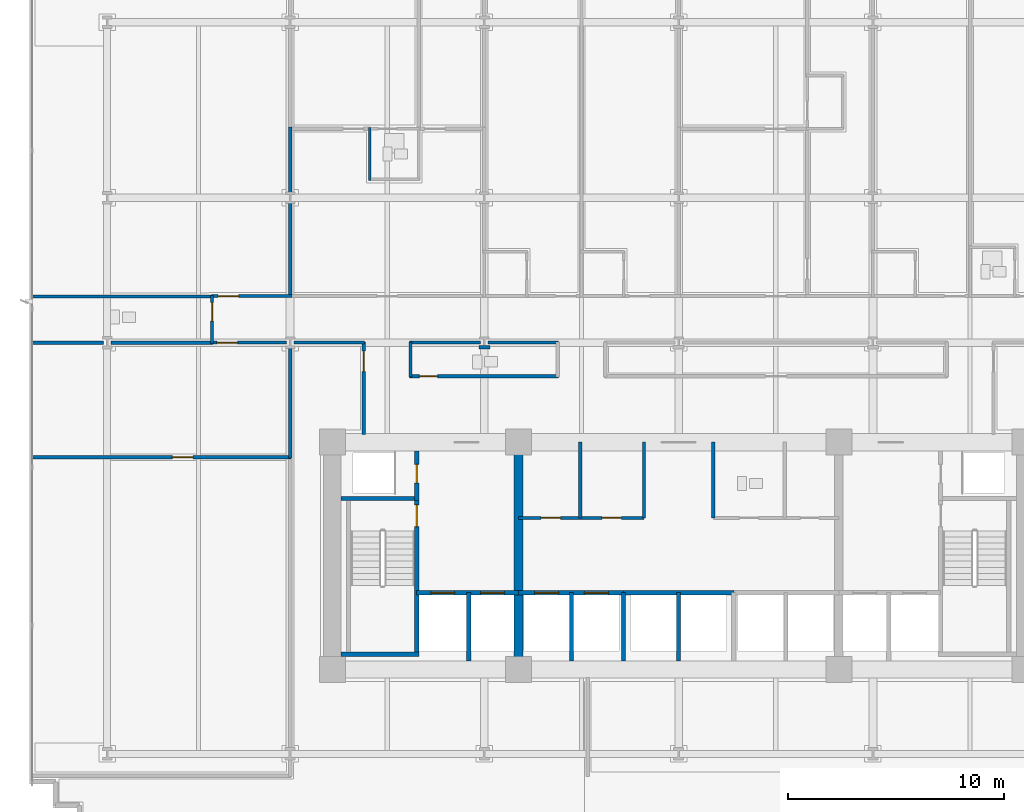
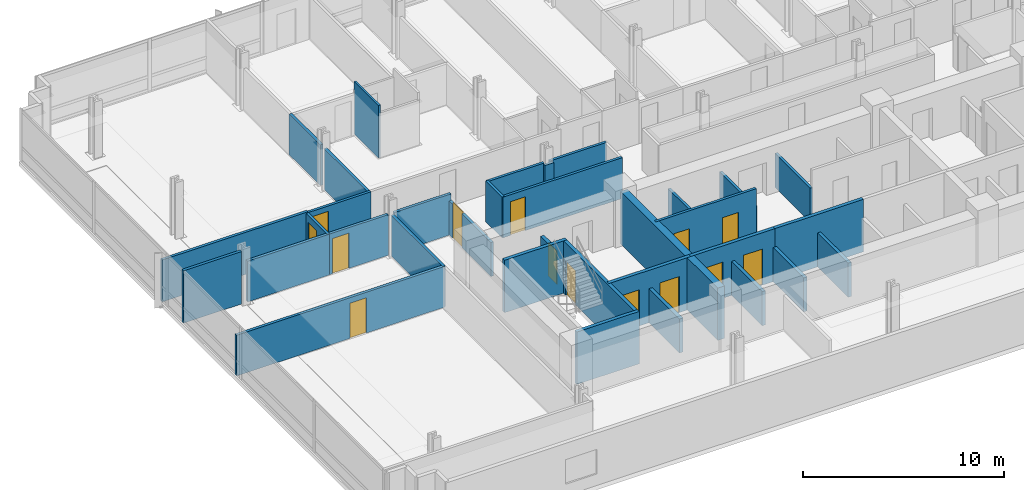
# One storey, part 8 of 16: 34 walls, 14 doors, 14 openings.
"""IFC4 building model written with IfcOpenShell, lengths in metres."""

from ifc_helpers import new_model, si_unit, direction, frame, frame_2d, origin, place, context, subcontext, project, spatial, rectangle, extrude, material, layer, layer_set, type_object, element, fill, save


model = new_model("IFC4")

# Units and contexts
model_context = context("Model", 3, precision=1e-05, world=origin(), true_north=direction((0.0, 1.0)))
body_context = subcontext(model_context, "Body", "Model", "MODEL_VIEW")
ifc_project = project(units=[si_unit("LENGTHUNIT", "METRE"), si_unit("AREAUNIT", "SQUARE_METRE"), si_unit("VOLUMEUNIT", "CUBIC_METRE"), si_unit("PLANEANGLEUNIT", "RADIAN"), si_unit("MASSUNIT", "GRAM", prefix="KILO")], contexts=[model_context])

# Site, building, storey
site_placement = place(None, origin())
site = spatial("IfcSite", under=ifc_project, at=site_placement, CompositionType="ELEMENT")
building_placement = place(site_placement, origin())
building = spatial("IfcBuilding", under=site, at=building_placement, Name="Solmavex Isthmus Hotel", CompositionType="ELEMENT")
storey_placement = place(building_placement, frame((0.0, 0.0, 67.800048828125)))
storey = spatial("IfcBuildingStorey", under=building, at=storey_placement, Name="L18", CompositionType="ELEMENT", Elevation=67.800048828125)

# Walls
ifc_material_1 = material(Name="Gypsum plasterboard lining", Category="gypsum")
ifc_layer_1 = layer(ifc_material_1, 0.159912109375)
ifc_layer_set_1 = layer_set([ifc_layer_1], Name="Gypsum plasterboard lining")
wall_type_1 = type_object("IfcWallType", Name="IW-COMP-160", PredefinedType="PARTITIONING", material=ifc_layer_set_1)
wall_1_placement = place(storey_placement, frame((-17.951904296875, 8.613037109375, 0.0), z_axis=(0.0, 0.0, 1.0), x_axis=(0.0, -1.0, 0.0)))
element("IfcWall", 1, at=wall_1_placement, inside=storey, type_object=wall_type_1, Name="Interior Partition Wall W-L18-P036", PredefinedType="PARTITIONING", context=body_context, shape_type="SweptSolid", body=[
    extrude(rectangle(XDim=4.403076171875, YDim=0.159912109375, at=frame_2d((2.20166015625, 0.0))), origin(), (0.0, 0.0, 1.0), 2.4794921875),
])
wall_2_placement = place(storey_placement, frame((-17.951904296875, 12.070068359375, 0.0), z_axis=(0.0, 0.0, 1.0), x_axis=(0.0, -1.0, 0.0)))
element("IfcWall", 2, at=wall_2_placement, inside=storey, type_object=wall_type_1, Name="Interior Partition Wall W-L18-P037", PredefinedType="PARTITIONING", context=body_context, shape_type="SweptSolid", body=[
    extrude(rectangle(XDim=3.107177734375, YDim=0.159912109375, at=frame_2d((1.5537109375, 0.0))), origin(), (0.0, 0.0, 1.0), 2.4794921875),
])
wall_3_placement = place(storey_placement, frame((-21.511962890625, 4.22998046875, 0.0), z_axis=(0.0, 0.0, 1.0), x_axis=(-1.0, 0.0, 0.0)))
element("IfcWall", 3, at=wall_3_placement, inside=storey, type_object=wall_type_1, Name="Interior Partition Wall W-L18-P040", PredefinedType="PARTITIONING", context=body_context, shape_type="SweptSolid", body=[
    extrude(rectangle(XDim=8.407958984375, YDim=0.159912109375, at=frame_2d((4.2041015625, 0.0))), origin(), (0.0, 0.0, 1.0), 2.55322265625),
])
wall_4_placement = place(storey_placement, frame((-26.574951171875, 2.10009765625, 0.0), z_axis=(0.0, 0.0, 1.0), x_axis=(-1.0, 0.0, 0.0)))
element("IfcWall", 4, at=wall_4_placement, inside=storey, type_object=wall_type_1, Name="Interior Partition Wall W-L18-P084", PredefinedType="PARTITIONING", context=body_context, shape_type="SweptSolid", body=[
    extrude(rectangle(XDim=3.344970703125, YDim=0.159912109375, at=frame_2d((1.67236328125, 0.0))), origin(), (0.0, 0.0, 1.0), 3.18994140625),
])
wall_5_placement = place(storey_placement, frame((-21.511962890625, 2.10009765625, 0.0), z_axis=(0.0, 0.0, 1.0), x_axis=(-1.0, 0.0, 0.0)))
element("IfcWall", 5, at=wall_5_placement, inside=storey, type_object=wall_type_1, Name="Interior Partition Wall W-L18-P085", PredefinedType="PARTITIONING", context=body_context, shape_type="SweptSolid", body=[
    extrude(rectangle(XDim=4.713134765625, YDim=0.159912109375, at=frame_2d((2.3564453125, 0.0))), origin(), (0.0, 0.0, 1.0), 2.4794921875),
])
wall_6_placement = place(storey_placement, frame((-17.951904296875, 1.925048828125, 0.0), z_axis=(0.0, 0.0, 1.0), x_axis=(0.0, -1.0, 0.0)))
element("IfcWall", 6, at=wall_6_placement, inside=storey, type_object=wall_type_1, Name="Interior Partition Wall W-L18-P088", PredefinedType="PARTITIONING", context=body_context, shape_type="SweptSolid", body=[
    extrude(rectangle(XDim=5.1650390625, YDim=0.159912109375, at=frame_2d((2.58251953125, 0.0))), origin(), (0.0, 0.0, 1.0), 2.4794921875),
])

# Wall, opening, door
wall_7_placement = place(storey_placement, frame((-17.912109375, -3.199951171875, 0.0), z_axis=(0.0, 0.0, 1.0), x_axis=(-1.0, 0.0, 0.0)))
wall_7 = element("IfcWall", 7, at=wall_7_placement, inside=storey, type_object=wall_type_1, Name="Interior Partition Wall W-L18-P089", PredefinedType="PARTITIONING", context=body_context, shape_type="SweptSolid", body=[
    extrude(rectangle(XDim=12.0078125, YDim=0.159912109375, at=frame_2d((6.00390625, 0.0))), origin(), (0.0, 0.0, 1.0), 2.4794921875),
])
opening_1_placement = place(wall_7_placement, frame((4.527099609375, 0.0, 0.0)))
opening_1 = element("IfcOpeningElement", 8, at=opening_1_placement, cuts=wall_7, Name="Opening ID-C095", PredefinedType="OPENING", context=body_context, shape_type="SweptSolid", body=[
    extrude(rectangle(XDim=0.949951171875, YDim=2.14990234375, at=frame_2d((0.47509765625, 1.074951171875))), frame((0.0, 0.08984375, 0.0), z_axis=(0.0, -1.0, 0.0), x_axis=(1.0, 0.0, 0.0)), (0.0, 0.0, 1.0), 0.179931640625),
])
ifc_material_2 = material(Name="Hardwood timber", Category="wood")
door_type_1 = type_object("IfcDoorType", Name="IDR-FD60-0950", OperationType="NOTDEFINED", PredefinedType="DOOR", material=ifc_material_2)
door_1_placement = place(opening_1_placement, origin())
door_1 = element("IfcDoor", 9, at=door_1_placement, inside=storey, type_object=door_type_1, Name="Corporate Briefing Office Door L18-27", OperationType="SINGLE_SWING_LEFT", OverallHeight=2.14990234375, OverallWidth=0.949951171875, PredefinedType="DOOR", context=body_context, shape_type="SweptSolid", body=[
    extrude(rectangle(XDim=0.949951171875, YDim=2.14990234375, at=frame_2d((0.47509765625, 1.074951171875))), frame((0.0, 0.02490234375, 0.0), z_axis=(0.0, -1.0, 0.0), x_axis=(1.0, 0.0, 0.0)), (0.0, 0.0, 1.0), 0.050048828125),
])
fill(opening_1, door_1)

# Wall, openings, doors
ifc_layer_2 = layer(ifc_material_1, 0.14990234375)
ifc_layer_set_2 = layer_set([ifc_layer_2], Name="Gypsum plasterboard lining")
wall_type_2 = type_object("IfcWallType", Name="IW-CORR-150", PredefinedType="PARTITIONING", material=ifc_layer_set_2)
wall_8_placement = place(storey_placement, frame((-7.39990234375, -6.0, 0.0), z_axis=(0.0, 0.0, 1.0), x_axis=(1.0, 0.0, 0.0)))
wall_8 = element("IfcWall", 10, at=wall_8_placement, inside=storey, type_object=wall_type_2, Name="Interior Partition Wall W-L18-BOH-WS", PredefinedType="PARTITIONING", context=body_context, shape_type="SweptSolid", body=[
    extrude(rectangle(XDim=5.7998046875, YDim=0.14990234375, at=frame_2d((2.89990234375, 0.0))), origin(), (0.0, 0.0, 1.0), 3.18994140625),
])
opening_2_placement = place(wall_8_placement, frame((1.050048828125, 0.0, 0.0)))
opening_2 = element("IfcOpeningElement", 11, at=opening_2_placement, cuts=wall_8, Name="Opening ID-C090", PredefinedType="OPENING", context=body_context, shape_type="SweptSolid", body=[
    extrude(rectangle(XDim=0.89990234375, YDim=2.10009765625, at=frame_2d((0.449951171875, 1.050048828125))), frame((0.0, 0.0849609375, 0.0), z_axis=(0.0, -1.0, 0.0), x_axis=(1.0, 0.0, 0.0)), (0.0, 0.0, 1.0), 0.169921875),
])
opening_3_placement = place(wall_8_placement, frame((3.85009765625, 0.0, 0.0)))
opening_3 = element("IfcOpeningElement", 12, at=opening_3_placement, cuts=wall_8, Name="Opening ID-C090", PredefinedType="OPENING", context=body_context, shape_type="SweptSolid", body=[
    extrude(rectangle(XDim=0.89990234375, YDim=2.10009765625, at=frame_2d((0.449951171875, 1.050048828125))), frame((0.0, 0.0849609375, 0.0), z_axis=(0.0, -1.0, 0.0), x_axis=(1.0, 0.0, 0.0)), (0.0, 0.0, 1.0), 0.169921875),
])
door_type_2 = type_object("IfcDoorType", Name="IDR-FD60-0900", OperationType="NOTDEFINED", PredefinedType="DOOR", material=ifc_material_2)
door_2_placement = place(opening_2_placement, frame((0.89990234375, 0.0, 0.0), z_axis=(0.0, 0.0, 1.0), x_axis=(-1.0, 0.0, 0.0)))
door_2 = element("IfcDoor", 13, at=door_2_placement, inside=storey, type_object=door_type_2, Name="Linen Room Door L18", OperationType="SINGLE_SWING_LEFT", OverallHeight=2.10009765625, OverallWidth=0.89990234375, PredefinedType="DOOR", context=body_context, shape_type="SweptSolid", body=[
    extrude(rectangle(XDim=0.89990234375, YDim=2.10009765625, at=frame_2d((0.449951171875, 1.050048828125))), frame((0.0, 0.02490234375, 0.0), z_axis=(0.0, -1.0, 0.0), x_axis=(1.0, 0.0, 0.0)), (0.0, 0.0, 1.0), 0.050048828125),
])
fill(opening_2, door_2)
door_3_placement = place(opening_3_placement, frame((0.89990234375, 0.0, 0.0), z_axis=(0.0, 0.0, 1.0), x_axis=(-1.0, 0.0, 0.0)))
door_3 = element("IfcDoor", 14, at=door_3_placement, inside=storey, type_object=door_type_2, Name="Ice Pantry Door L18", OperationType="SINGLE_SWING_RIGHT", OverallHeight=2.10009765625, OverallWidth=0.89990234375, PredefinedType="DOOR", context=body_context, shape_type="SweptSolid", body=[
    extrude(rectangle(XDim=0.89990234375, YDim=2.10009765625, at=frame_2d((0.449951171875, 1.050048828125))), frame((0.0, 0.02490234375, 0.0), z_axis=(0.0, -1.0, 0.0), x_axis=(1.0, 0.0, 0.0)), (0.0, 0.0, 1.0), 0.050048828125),
])
fill(opening_3, door_3)

# Walls
for number, where, z_axis, x_axis, name in (
    (15, (-1.60009765625, -6.0, 0.0), (0.0, 0.0, 1.0), (0.0, 1.0, 0.0), "Interior Partition Wall W-L18-BOH-WE"),
    (16, (1.60009765625, -6.0, 0.0), (0.0, 0.0, 1.0), (0.0, 1.0, 0.0), "Interior Partition Wall W-L18-BOH-EW"),
):
    element("IfcWall", number, at=place(storey_placement, frame(where, z_axis=z_axis, x_axis=x_axis)), inside=storey, type_object=wall_type_2, Name=name, PredefinedType="PARTITIONING", context=body_context, shape_type="SweptSolid", body=[
        extrude(rectangle(XDim=3.5, YDim=0.14990234375, at=frame_2d((1.75, 0.0))), origin(), (0.0, 0.0, 1.0), 2.074951171875),
    ])

# Wall, opening, door
wall_9_placement = place(storey_placement, frame((-21.592041015625, 4.25, 0.0), z_axis=(0.0, 0.0, 1.0), x_axis=(1.0, 0.0, 0.0)))
wall_9 = element("IfcWall", 17, at=wall_9_placement, inside=storey, type_object=wall_type_2, Name="Interior Partition Wall W-L18-P001", PredefinedType="PARTITIONING", context=body_context, shape_type="SweptSolid", body=[
    extrude(rectangle(XDim=3.721923828125, YDim=0.14990234375, at=frame_2d((1.86083984375, 0.0))), origin(), (0.0, 0.0, 1.0), 2.4794921875),
])
opening_4_placement = place(wall_9_placement, frame((0.315185546875, 0.0, 0.0)))
opening_4 = element("IfcOpeningElement", 18, at=opening_4_placement, cuts=wall_9, Name="Opening ID-C095", PredefinedType="OPENING", context=body_context, shape_type="SweptSolid", body=[
    extrude(rectangle(XDim=0.949951171875, YDim=2.14990234375, at=frame_2d((0.47509765625, 1.074951171875))), frame((0.0, 0.0849609375, 0.0), z_axis=(0.0, -1.0, 0.0), x_axis=(1.0, 0.0, 0.0)), (0.0, 0.0, 1.0), 0.169921875),
])
door_4_placement = place(opening_4_placement, origin())
door_4 = element("IfcDoor", 19, at=door_4_placement, inside=storey, type_object=door_type_1, Name="Corporate Briefing Office Door L18-01", OperationType="SINGLE_SWING_LEFT", OverallHeight=2.14990234375, OverallWidth=0.949951171875, PredefinedType="DOOR", context=body_context, shape_type="SweptSolid", body=[
    extrude(rectangle(XDim=0.949951171875, YDim=2.14990234375, at=frame_2d((0.47509765625, 1.074951171875))), frame((0.0, 0.02490234375, 0.0), z_axis=(0.0, -1.0, 0.0), x_axis=(1.0, 0.0, 0.0)), (0.0, 0.0, 1.0), 0.050048828125),
])
fill(opening_4, door_4)

# Walls
wall_10_placement = place(storey_placement, frame((-8.720947265625, 1.885009765625, 0.0), z_axis=(0.0, 0.0, 1.0), x_axis=(-1.0, 0.0, 0.0)))
element("IfcWall", 20, at=wall_10_placement, inside=storey, type_object=wall_type_2, Name="Interior Partition Wall W-L18-P014", PredefinedType="PARTITIONING", context=body_context, shape_type="SweptSolid", body=[
    extrude(rectangle(XDim=0.510009765625, YDim=0.14990234375, at=frame_2d((0.2548828125, 0.0))), origin(), (0.0, 0.0, 1.0), 2.4794921875),
])
wall_11_placement = place(storey_placement, frame((-9.15087890625, 2.10009765625, 0.0), z_axis=(0.0, 0.0, 1.0), x_axis=(-1.0, 0.0, 0.0)))
element("IfcWall", 21, at=wall_11_placement, inside=storey, type_object=wall_type_2, Name="Interior Partition Wall W-L18-P015", PredefinedType="PARTITIONING", context=body_context, shape_type="SweptSolid", body=[
    extrude(rectangle(XDim=3.273193359375, YDim=0.14990234375, at=frame_2d((1.63671875, 0.0))), origin(), (0.0, 0.0, 1.0), 2.4794921875),
])
wall_12_placement = place(storey_placement, frame((-12.384033203125, 2.139892578125, 0.0), z_axis=(0.0, 0.0, 1.0), x_axis=(0.0, -1.0, 0.0)))
element("IfcWall", 22, at=wall_12_placement, inside=storey, type_object=wall_type_2, Name="Interior Partition Wall W-L18-P016", PredefinedType="PARTITIONING", context=body_context, shape_type="SweptSolid", body=[
    extrude(rectangle(XDim=1.6298828125, YDim=0.14990234375, at=frame_2d((0.81494140625, 0.0))), origin(), (0.0, 0.0, 1.0), 2.4794921875),
])

# Wall, opening, door
wall_13_placement = place(storey_placement, frame((-12.424072265625, 0.550048828125, 0.0), z_axis=(0.0, 0.0, 1.0), x_axis=(1.0, 0.0, 0.0)))
wall_13 = element("IfcWall", 23, at=wall_13_placement, inside=storey, type_object=wall_type_2, Name="Interior Partition Wall W-L18-P017", PredefinedType="PARTITIONING", context=body_context, shape_type="SweptSolid", body=[
    extrude(rectangle(XDim=6.8759765625, YDim=0.14990234375, at=frame_2d((3.43798828125, 0.0))), origin(), (0.0, 0.0, 1.0), 2.4794921875),
])
opening_5_placement = place(wall_13_placement, frame((0.444091796875, 0.0, 0.0)))
opening_5 = element("IfcOpeningElement", 24, at=opening_5_placement, cuts=wall_13, Name="Opening ID-R085", PredefinedType="OPENING", context=body_context, shape_type="SweptSolid", body=[
    extrude(rectangle(XDim=0.85009765625, YDim=2.050048828125, at=frame_2d((0.425048828125, 1.02490234375))), frame((0.0, 0.0849609375, 0.0), z_axis=(0.0, -1.0, 0.0), x_axis=(1.0, 0.0, 0.0)), (0.0, 0.0, 1.0), 0.169921875),
])
ifc_material_3 = material(Name="Steel ASTM A500 Grade C", Category="steel")
door_type_3 = type_object("IfcDoorType", Name="IDR-FD60-0850", OperationType="NOTDEFINED", PredefinedType="DOOR", material=ifc_material_3)
door_5_placement = place(opening_5_placement, frame((0.85009765625, 0.0, 0.0), z_axis=(0.0, 0.0, 1.0), x_axis=(-1.0, 0.0, 0.0)))
door_5 = element("IfcDoor", 25, at=door_5_placement, inside=storey, type_object=door_type_3, Name="Accessible Public Restroom WC Door L18-19", OperationType="SINGLE_SWING_LEFT", OverallHeight=2.050048828125, OverallWidth=0.85009765625, PredefinedType="DOOR", context=body_context, shape_type="SweptSolid", body=[
    extrude(rectangle(XDim=0.85009765625, YDim=2.050048828125, at=frame_2d((0.425048828125, 1.02490234375))), frame((0.0, 0.02490234375, 0.0), z_axis=(0.0, -1.0, 0.0), x_axis=(1.0, 0.0, 0.0)), (0.0, 0.0, 1.0), 0.050048828125),
])
fill(opening_5, door_5)

# Wall
wall_14_placement = place(storey_placement, frame((-5.548095703125, 2.10009765625, 0.0), z_axis=(0.0, 0.0, 1.0), x_axis=(-1.0, 0.0, 0.0)))
element("IfcWall", 26, at=wall_14_placement, inside=storey, type_object=wall_type_2, Name="Interior Partition Wall W-L18-P019", PredefinedType="PARTITIONING", context=body_context, shape_type="SweptSolid", body=[
    extrude(rectangle(XDim=3.2529296875, YDim=0.14990234375, at=frame_2d((1.62646484375, 0.0))), origin(), (0.0, 0.0, 1.0), 2.4794921875),
])

# Wall, opening, door
wall_15_placement = place(storey_placement, frame((-21.552001953125, 2.06005859375, 0.0), z_axis=(0.0, 0.0, 1.0), x_axis=(0.0, 1.0, 0.0)))
wall_15 = element("IfcWall", 27, at=wall_15_placement, inside=storey, type_object=wall_type_2, Name="Interior Partition Wall W-L18-P020", PredefinedType="PARTITIONING", context=body_context, shape_type="SweptSolid", body=[
    extrude(rectangle(XDim=2.2099609375, YDim=0.14990234375, at=frame_2d((1.10498046875, 0.0))), origin(), (0.0, 0.0, 1.0), 2.4794921875),
])
opening_6_placement = place(wall_15_placement, frame((1.037841796875, 0.0, 0.0)))
opening_6 = element("IfcOpeningElement", 28, at=opening_6_placement, cuts=wall_15, Name="Opening ID-R085", PredefinedType="OPENING", context=body_context, shape_type="SweptSolid", body=[
    extrude(rectangle(XDim=0.85009765625, YDim=2.050048828125, at=frame_2d((0.425048828125, 1.02490234375))), frame((0.0, 0.0849609375, 0.0), z_axis=(0.0, -1.0, 0.0), x_axis=(1.0, 0.0, 0.0)), (0.0, 0.0, 1.0), 0.169921875),
])
door_6_placement = place(opening_6_placement, origin())
door_6 = element("IfcDoor", 29, at=door_6_placement, inside=storey, type_object=door_type_3, Name="Public Restroom WC Door L18-20", OperationType="SINGLE_SWING_RIGHT", OverallHeight=2.050048828125, OverallWidth=0.85009765625, PredefinedType="DOOR", context=body_context, shape_type="SweptSolid", body=[
    extrude(rectangle(XDim=0.85009765625, YDim=2.050048828125, at=frame_2d((0.425048828125, 1.02490234375))), frame((0.0, 0.02490234375, 0.0), z_axis=(0.0, -1.0, 0.0), x_axis=(1.0, 0.0, 0.0)), (0.0, 0.0, 1.0), 0.050048828125),
])
fill(opening_6, door_6)

wall_16_placement = place(storey_placement, frame((-18.126953125, 2.10009765625, 0.0), z_axis=(0.0, 0.0, 1.0), x_axis=(-1.0, 0.0, 0.0)))
wall_16 = element("IfcWall", 30, at=wall_16_placement, inside=storey, type_object=wall_type_2, Name="Interior Partition Wall W-L18-P030", PredefinedType="PARTITIONING", context=body_context, shape_type="SweptSolid", body=[
    extrude(rectangle(XDim=3.465087890625, YDim=0.14990234375, at=frame_2d((1.732421875, 0.0))), origin(), (0.0, 0.0, 1.0), 2.4794921875),
])
opening_7_placement = place(wall_16_placement, frame((2.252685546875, 0.0, 0.0)))
opening_7 = element("IfcOpeningElement", 31, at=opening_7_placement, cuts=wall_16, Name="Opening ID-C095", PredefinedType="OPENING", context=body_context, shape_type="SweptSolid", body=[
    extrude(rectangle(XDim=0.949951171875, YDim=2.14990234375, at=frame_2d((0.47509765625, 1.074951171875))), frame((0.0, 0.0849609375, 0.0), z_axis=(0.0, -1.0, 0.0), x_axis=(1.0, 0.0, 0.0)), (0.0, 0.0, 1.0), 0.169921875),
])
door_7_placement = place(opening_7_placement, origin())
door_7 = element("IfcDoor", 32, at=door_7_placement, inside=storey, type_object=door_type_1, Name="Yoga Fitness Studio Door L18-23", OperationType="SINGLE_SWING_LEFT", OverallHeight=2.14990234375, OverallWidth=0.949951171875, PredefinedType="DOOR", context=body_context, shape_type="SweptSolid", body=[
    extrude(rectangle(XDim=0.949951171875, YDim=2.14990234375, at=frame_2d((0.47509765625, 1.074951171875))), frame((0.0, 0.02490234375, 0.0), z_axis=(0.0, -1.0, 0.0), x_axis=(1.0, 0.0, 0.0)), (0.0, 0.0, 1.0), 0.050048828125),
])
fill(opening_7, door_7)

wall_17_placement = place(storey_placement, frame((-14.5439453125, -2.139892578125, 0.0), z_axis=(0.0, 0.0, 1.0), x_axis=(0.0, 1.0, 0.0)))
wall_17 = element("IfcWall", 33, at=wall_17_placement, inside=storey, type_object=wall_type_2, Name="Interior Partition Wall W-L18-P034", PredefinedType="PARTITIONING", context=body_context, shape_type="SweptSolid", body=[
    extrude(rectangle(XDim=4.27978515625, YDim=0.14990234375, at=frame_2d((2.139892578125, 0.0))), origin(), (0.0, 0.0, 1.0), 2.074951171875),
])
opening_8_placement = place(wall_17_placement, frame((2.89990234375, 0.0, 0.0)))
opening_8 = element("IfcOpeningElement", 34, at=opening_8_placement, cuts=wall_17, Name="Opening ID-C095", PredefinedType="OPENING", context=body_context, shape_type="SweptSolid", body=[
    extrude(rectangle(XDim=0.949951171875, YDim=2.14990234375, at=frame_2d((0.47509765625, 1.074951171875))), frame((0.0, 0.0849609375, 0.0), z_axis=(0.0, -1.0, 0.0), x_axis=(1.0, 0.0, 0.0)), (0.0, 0.0, 1.0), 0.169921875),
])
door_8_placement = place(opening_8_placement, frame((0.949951171875, 0.0, 0.0), z_axis=(0.0, 0.0, 1.0), x_axis=(-1.0, 0.0, 0.0)))
door_8 = element("IfcDoor", 35, at=door_8_placement, inside=storey, type_object=door_type_1, Name="Corporate Briefing Office Door L18-26", OperationType="SINGLE_SWING_RIGHT", OverallHeight=2.14990234375, OverallWidth=0.949951171875, PredefinedType="DOOR", context=body_context, shape_type="SweptSolid", body=[
    extrude(rectangle(XDim=0.949951171875, YDim=2.14990234375, at=frame_2d((0.47509765625, 1.074951171875))), frame((0.0, 0.02490234375, 0.0), z_axis=(0.0, -1.0, 0.0), x_axis=(1.0, 0.0, 0.0)), (0.0, 0.0, 1.0), 0.050048828125),
])
fill(opening_8, door_8)

# Walls
wall_18_placement = place(storey_placement, frame((-14.50390625, 2.10009765625, 0.0), z_axis=(0.0, 0.0, 1.0), x_axis=(-1.0, 0.0, 0.0)))
element("IfcWall", 36, at=wall_18_placement, inside=storey, type_object=wall_type_2, Name="Interior Partition Wall W-L18-P035", PredefinedType="PARTITIONING", context=body_context, shape_type="SweptSolid", body=[
    extrude(rectangle(XDim=3.273193359375, YDim=0.14990234375, at=frame_2d((1.63671875, 0.0))), origin(), (0.0, 0.0, 1.0), 2.4794921875),
])
ifc_layer_3 = layer(ifc_material_1, 0.1201171875)
ifc_layer_set_3 = layer_set([ifc_layer_3], Name="Gypsum plasterboard lining")
wall_type_3 = type_object("IfcWallType", Name="IW-PART-120", PredefinedType="PARTITIONING", material=ifc_layer_set_3)
wall_19_placement = place(storey_placement, frame((-4.550048828125, -6.0, 0.0), z_axis=(0.0, 0.0, 1.0), x_axis=(0.0, 1.0, 0.0)))
element("IfcWall", 37, at=wall_19_placement, inside=storey, type_object=wall_type_3, Name="Interior Partition Wall W-L18-BOH-WM2", PredefinedType="PARTITIONING", context=body_context, shape_type="SweptSolid", body=[
    extrude(rectangle(XDim=3.5, YDim=0.14990234375, at=frame_2d((1.75, 0.0))), origin(), (0.0, 0.0, 1.0), 2.074951171875),
])
wall_20_placement = place(storey_placement, frame((-14.263916015625, 12.028076171875, 0.0), z_axis=(0.0, 0.0, 1.0), x_axis=(0.0, -1.0, 0.0)))
element("IfcWall", 38, at=wall_20_placement, inside=storey, type_object=wall_type_3, Name="Interior Partition Wall W-L18-P043", PredefinedType="PARTITIONING", context=body_context, shape_type="SweptSolid", body=[
    extrude(rectangle(XDim=2.43017578125, YDim=0.1201171875, at=frame_2d((1.215087890625, 0.0))), origin(), (0.0, 0.0, 1.0), 3.18994140625),
])
ifc_material_4 = material(Name="Concrete C40/50", Category="concrete")
ifc_layer_4 = layer(ifc_material_4, 0.179931640625)
ifc_layer_set_4 = layer_set([ifc_layer_4], Name="Concrete C40/50")
wall_type_4 = type_object("IfcWallType", Name="IW-SHAFT-180", PredefinedType="PARTITIONING", material=ifc_layer_set_4)
for number, where, z_axis, x_axis, name in (
    (39, (-4.949951171875, -12.60009765625, 0.0), (0.0, 0.0, 1.0), (0.0, 1.0, 0.0), "Interior Partition Wall W-L18-SH-PLL-M"),
    (40, (0.0, -12.60009765625, 0.0), (0.0, 0.0, 1.0), (0.0, 1.0, 0.0), "Interior Partition Wall W-L18-SH-PLM-M"),
):
    element("IfcWall", number, at=place(storey_placement, frame(where, z_axis=z_axis, x_axis=x_axis)), inside=storey, type_object=wall_type_4, Name=name, PredefinedType="PARTITIONING", context=body_context, shape_type="SweptSolid", body=[
        extrude(rectangle(XDim=3.150146484375, YDim=0.179931640625, at=frame_2d((1.5751953125, 0.0))), origin(), (0.0, 0.0, 1.0), 2.074951171875),
    ])

# Wall, opening, door
ifc_layer_5 = layer(ifc_material_4, 0.199951171875)
ifc_layer_set_5 = layer_set([ifc_layer_5], Name="Concrete C40/50")
wall_type_5 = type_object("IfcWallType", Name="IW-SHAFT-200", PredefinedType="PARTITIONING", material=ifc_layer_set_5)
wall_21_placement = place(storey_placement, frame((-12.10009765625, -5.199951171875, 0.0), z_axis=(0.0, 0.0, 1.0), x_axis=(0.0, 1.0, 0.0)))
wall_21 = element("IfcWall", 41, at=wall_21_placement, inside=storey, type_object=wall_type_5, Name="Interior Partition Wall W-L18-RSW-E", PredefinedType="PARTITIONING", context=body_context, shape_type="SweptSolid", body=[
    extrude(rectangle(XDim=2.300048828125, YDim=0.199951171875, at=frame_2d((1.14990234375, 0.0))), origin(), (0.0, 0.0, 1.0), 2.074951171875),
])
opening_9_placement = place(wall_21_placement, frame((0.824951171875, 0.0, 0.0)))
opening_9 = element("IfcOpeningElement", 42, at=opening_9_placement, cuts=wall_21, Name="Opening ID-R085", PredefinedType="OPENING", context=body_context, shape_type="SweptSolid", body=[
    extrude(rectangle(XDim=0.85009765625, YDim=2.050048828125, at=frame_2d((0.425048828125, 1.02490234375))), frame((0.0, 0.10986328125, 0.0), z_axis=(0.0, -1.0, 0.0), x_axis=(1.0, 0.0, 0.0)), (0.0, 0.0, 1.0), 0.219970703125),
])
door_9_placement = place(opening_9_placement, origin())
door_9 = element("IfcDoor", 43, at=door_9_placement, inside=storey, type_object=door_type_3, Name="Electrical Riser Door L18", OperationType="SINGLE_SWING_RIGHT", OverallHeight=2.050048828125, OverallWidth=0.85009765625, PredefinedType="DOOR", context=body_context, shape_type="SweptSolid", body=[
    extrude(rectangle(XDim=0.85009765625, YDim=2.050048828125, at=frame_2d((0.425048828125, 1.02490234375))), frame((0.0, 0.02490234375, 0.0), z_axis=(0.0, -1.0, 0.0), x_axis=(1.0, 0.0, 0.0)), (0.0, 0.0, 1.0), 0.050048828125),
])
fill(opening_9, door_9)

# Wall, openings, doors
wall_22_placement = place(storey_placement, frame((-12.10009765625, -9.449951171875, 0.0), z_axis=(0.0, 0.0, 1.0), x_axis=(1.0, 0.0, 0.0)))
wall_22 = element("IfcWall", 44, at=wall_22_placement, inside=storey, type_object=wall_type_5, Name="Interior Partition Wall W-L18-FFLW-S", PredefinedType="PARTITIONING", context=body_context, shape_type="SweptSolid", body=[
    extrude(rectangle(XDim=4.7001953125, YDim=0.199951171875, at=frame_2d((2.35009765625, 0.0))), origin(), (0.0, 0.0, 1.0), 3.18994140625),
])
opening_10_placement = place(wall_22_placement, frame((0.64990234375, 0.0, 0.0)))
opening_10 = element("IfcOpeningElement", 45, at=opening_10_placement, cuts=wall_22, Name="Opening LD-FF", PredefinedType="OPENING", context=body_context, shape_type="SweptSolid", body=[
    extrude(rectangle(XDim=1.10009765625, YDim=2.199951171875, at=frame_2d((0.550048828125, 1.10009765625))), frame((0.0, 0.10986328125, 0.0), z_axis=(0.0, -1.0, 0.0), x_axis=(1.0, 0.0, 0.0)), (0.0, 0.0, 1.0), 0.219970703125),
])
opening_11_placement = place(wall_22_placement, frame((2.949951171875, 0.0, 0.0)))
opening_11 = element("IfcOpeningElement", 46, at=opening_11_placement, cuts=wall_22, Name="Opening LD-SV", PredefinedType="OPENING", context=body_context, shape_type="SweptSolid", body=[
    extrude(rectangle(XDim=1.10009765625, YDim=2.199951171875, at=frame_2d((0.550048828125, 1.10009765625))), frame((0.0, 0.10986328125, 0.0), z_axis=(0.0, -1.0, 0.0), x_axis=(1.0, 0.0, 0.0)), (0.0, 0.0, 1.0), 0.219970703125),
])
ifc_material_5 = material(Name="Stainless steel 316", Category="steel")
door_type_4 = type_object("IfcDoorType", Name="LDR-FF-1100", OperationType="NOTDEFINED", PredefinedType="DOOR", material=ifc_material_5)
door_10_placement = place(opening_10_placement, origin())
door_10 = element("IfcDoor", 47, at=door_10_placement, inside=storey, type_object=door_type_4, Name="Lift Landing Door FFL-1 L18", OperationType="SLIDING_TO_LEFT", OverallHeight=2.199951171875, OverallWidth=1.10009765625, PredefinedType="DOOR", context=body_context, shape_type="SweptSolid", body=[
    extrude(rectangle(XDim=1.10009765625, YDim=2.199951171875, at=frame_2d((0.550048828125, 1.10009765625))), frame((0.0, 0.02490234375, 0.0), z_axis=(0.0, -1.0, 0.0), x_axis=(1.0, 0.0, 0.0)), (0.0, 0.0, 1.0), 0.050048828125),
])
fill(opening_10, door_10)
door_type_5 = type_object("IfcDoorType", Name="LDR-SV-1100", OperationType="NOTDEFINED", PredefinedType="DOOR", material=ifc_material_5)
door_11_placement = place(opening_11_placement, origin())
door_11 = element("IfcDoor", 48, at=door_11_placement, inside=storey, type_object=door_type_5, Name="Lift Landing Door SVL-1 L18", OperationType="SLIDING_TO_RIGHT", OverallHeight=2.199951171875, OverallWidth=1.10009765625, PredefinedType="DOOR", context=body_context, shape_type="SweptSolid", body=[
    extrude(rectangle(XDim=1.10009765625, YDim=2.199951171875, at=frame_2d((0.550048828125, 1.10009765625))), frame((0.0, 0.02490234375, 0.0), z_axis=(0.0, -1.0, 0.0), x_axis=(1.0, 0.0, 0.0)), (0.0, 0.0, 1.0), 0.050048828125),
])
fill(opening_11, door_11)

# Wall
wall_23_placement = place(storey_placement, frame((-9.699951171875, -12.60009765625, 0.0), z_axis=(0.0, 0.0, 1.0), x_axis=(0.0, 1.0, 0.0)))
element("IfcWall", 49, at=wall_23_placement, inside=storey, type_object=wall_type_5, Name="Interior Partition Wall W-L18-FFLW-M", PredefinedType="PARTITIONING", context=body_context, shape_type="SweptSolid", body=[
    extrude(rectangle(XDim=3.150146484375, YDim=0.199951171875, at=frame_2d((1.5751953125, 0.0))), origin(), (0.0, 0.0, 1.0), 2.074951171875),
])

# Wall, openings, doors
wall_24_placement = place(storey_placement, frame((-7.39990234375, -9.449951171875, 0.0), z_axis=(0.0, 0.0, 1.0), x_axis=(1.0, 0.0, 0.0)))
wall_24 = element("IfcWall", 50, at=wall_24_placement, inside=storey, type_object=wall_type_5, Name="Interior Partition Wall W-L18-SH-PLL", PredefinedType="PARTITIONING", context=body_context, shape_type="SweptSolid", body=[
    extrude(rectangle(XDim=4.849853515625, YDim=0.199951171875, at=frame_2d((2.4248046875, 0.0))), origin(), (0.0, 0.0, 1.0), 3.18994140625),
])
opening_12_placement = place(wall_24_placement, frame((0.75, 0.0, 0.0)))
opening_12 = element("IfcOpeningElement", 51, at=opening_12_placement, cuts=wall_24, Name="Opening LD-PL", PredefinedType="OPENING", context=body_context, shape_type="SweptSolid", body=[
    extrude(rectangle(XDim=1.10009765625, YDim=2.199951171875, at=frame_2d((0.550048828125, 1.10009765625))), frame((0.0, 0.10986328125, 0.0), z_axis=(0.0, -1.0, 0.0), x_axis=(1.0, 0.0, 0.0)), (0.0, 0.0, 1.0), 0.219970703125),
])
opening_13_placement = place(wall_24_placement, frame((3.050048828125, 0.0, 0.0)))
opening_13 = element("IfcOpeningElement", 52, at=opening_13_placement, cuts=wall_24, Name="Opening LD-PL", PredefinedType="OPENING", context=body_context, shape_type="SweptSolid", body=[
    extrude(rectangle(XDim=1.10009765625, YDim=2.199951171875, at=frame_2d((0.550048828125, 1.10009765625))), frame((0.0, 0.10986328125, 0.0), z_axis=(0.0, -1.0, 0.0), x_axis=(1.0, 0.0, 0.0)), (0.0, 0.0, 1.0), 0.219970703125),
])
door_type_6 = type_object("IfcDoorType", Name="LDR-PL-1100", OperationType="NOTDEFINED", PredefinedType="DOOR", material=ifc_material_5)
door_12_placement = place(opening_12_placement, origin())
door_12 = element("IfcDoor", 53, at=door_12_placement, inside=storey, type_object=door_type_6, Name="Lift Landing Door PLL1 L18", OperationType="SLIDING_TO_LEFT", OverallHeight=2.199951171875, OverallWidth=1.10009765625, PredefinedType="DOOR", context=body_context, shape_type="SweptSolid", body=[
    extrude(rectangle(XDim=1.10009765625, YDim=2.199951171875, at=frame_2d((0.550048828125, 1.10009765625))), frame((0.0, 0.02490234375, 0.0), z_axis=(0.0, -1.0, 0.0), x_axis=(1.0, 0.0, 0.0)), (0.0, 0.0, 1.0), 0.050048828125),
])
fill(opening_12, door_12)
door_13_placement = place(opening_13_placement, origin())
door_13 = element("IfcDoor", 54, at=door_13_placement, inside=storey, type_object=door_type_6, Name="Lift Landing Door PLL2 L18", OperationType="SLIDING_TO_LEFT", OverallHeight=2.199951171875, OverallWidth=1.10009765625, PredefinedType="DOOR", context=body_context, shape_type="SweptSolid", body=[
    extrude(rectangle(XDim=1.10009765625, YDim=2.199951171875, at=frame_2d((0.550048828125, 1.10009765625))), frame((0.0, 0.02490234375, 0.0), z_axis=(0.0, -1.0, 0.0), x_axis=(1.0, 0.0, 0.0)), (0.0, 0.0, 1.0), 0.050048828125),
])
fill(opening_13, door_13)

# Walls
wall_25_placement = place(storey_placement, frame((-2.550048828125, -12.60009765625, 0.0), z_axis=(0.0, 0.0, 1.0), x_axis=(0.0, 1.0, 0.0)))
element("IfcWall", 55, at=wall_25_placement, inside=storey, type_object=wall_type_5, Name="Interior Partition Wall W-L18-SH-PLL-E", PredefinedType="PARTITIONING", context=body_context, shape_type="SweptSolid", body=[
    extrude(rectangle(XDim=3.150146484375, YDim=0.199951171875, at=frame_2d((1.5751953125, 0.0))), origin(), (0.0, 0.0, 1.0), 2.074951171875),
])
wall_26_placement = place(storey_placement, frame((-2.550048828125, -9.449951171875, 0.0), z_axis=(0.0, 0.0, 1.0), x_axis=(1.0, 0.0, 0.0)))
element("IfcWall", 56, at=wall_26_placement, inside=storey, type_object=wall_type_5, Name="Interior Partition Wall W-L18-SH-PLM", PredefinedType="PARTITIONING", context=body_context, shape_type="SweptSolid", body=[
    extrude(rectangle(XDim=5.10009765625, YDim=0.199951171875, at=frame_2d((2.550048828125, 0.0))), origin(), (0.0, 0.0, 1.0), 3.18994140625),
])
ifc_material_6 = material(Name="Concrete C70/85", Category="concrete")
ifc_layer_6 = layer(ifc_material_6, 0.39990234375)
ifc_layer_set_6 = layer_set([ifc_layer_6], Name="Concrete C70/85")
wall_type_6 = type_object("IfcWallType", Name="WALL-CW-400L", PredefinedType="SHEAR", material=ifc_layer_set_6)
wall_27_placement = place(storey_placement, frame((-7.39990234375, -12.60009765625, 0.0), z_axis=(0.0, 0.0, 1.0), x_axis=(0.0, 1.0, 0.0)))
element("IfcWall", 57, at=wall_27_placement, inside=storey, type_object=wall_type_6, Name="Core Cross Shear Wall C1 L18", PredefinedType="SHEAR", context=body_context, shape_type="SweptSolid", body=[
    extrude(rectangle(XDim=9.7001953125, YDim=0.39990234375, at=frame_2d((4.85009765625, 0.0))), origin(), (0.0, 0.0, 1.0), 3.18994140625),
])
ifc_layer_7 = layer(ifc_material_4, 0.199951171875)
ifc_layer_set_7 = layer_set([ifc_layer_7], Name="Concrete C40/50")
wall_type_7 = type_object("IfcWallType", Name="WALL-SW-200", PredefinedType="SOLIDWALL", material=ifc_layer_set_7)
for number, where, z_axis, x_axis, name in (
    (58, (-15.60009765625, -12.300048828125, 0.0), (0.0, 0.0, 1.0), (1.0, 0.0, 0.0), "Stairwell Structural Wall SW-L18-ST1-S"),
    (59, (-15.60009765625, -5.10009765625, 0.0), (0.0, 0.0, 1.0), (1.0, 0.0, 0.0), "Stairwell Structural Wall SW-L18-ST1-N"),
):
    element("IfcWall", number, at=place(storey_placement, frame(where, z_axis=z_axis, x_axis=x_axis)), inside=storey, type_object=wall_type_7, Name=name, PredefinedType="SOLIDWALL", context=body_context, shape_type="SweptSolid", body=[
        extrude(rectangle(XDim=3.60009765625, YDim=0.199951171875, at=frame_2d((1.800048828125, 0.0))), origin(), (0.0, 0.0, 1.0), 3.18994140625),
    ])

# Wall, opening, door
wall_28_placement = place(storey_placement, frame((-12.10009765625, -12.199951171875, 0.0), z_axis=(0.0, 0.0, 1.0), x_axis=(0.0, 1.0, 0.0)))
wall_28 = element("IfcWall", 60, at=wall_28_placement, inside=storey, type_object=wall_type_7, Name="Stairwell Structural Wall SW-L18-ST1-E", PredefinedType="SOLIDWALL", context=body_context, shape_type="SweptSolid", body=[
    extrude(rectangle(XDim=7.0, YDim=0.199951171875, at=frame_2d((3.5, 0.0))), origin(), (0.0, 0.0, 1.0), 3.18994140625),
])
opening_14_placement = place(wall_28_placement, frame((5.800048828125, 0.0, 0.0)))
opening_14 = element("IfcOpeningElement", 61, at=opening_14_placement, cuts=wall_28, Name="Opening ID-F100", PredefinedType="OPENING", context=body_context, shape_type="SweptSolid", body=[
    extrude(rectangle(XDim=1.0, YDim=2.10009765625, at=frame_2d((0.5, 1.050048828125))), frame((0.0, 0.10986328125, 0.0), z_axis=(0.0, -1.0, 0.0), x_axis=(1.0, 0.0, 0.0)), (0.0, 0.0, 1.0), 0.219970703125),
])
door_type_7 = type_object("IfcDoorType", Name="IDR-FD90-1000", OperationType="NOTDEFINED", PredefinedType="DOOR", material=ifc_material_3)
door_14_placement = place(opening_14_placement, frame((1.0, 0.0, 0.0), z_axis=(0.0, 0.0, 1.0), x_axis=(-1.0, 0.0, 0.0)))
door_14 = element("IfcDoor", 62, at=door_14_placement, inside=storey, type_object=door_type_7, Name="Stair ST-1 Fire Door L18", OperationType="SINGLE_SWING_LEFT", OverallHeight=2.10009765625, OverallWidth=1.0, PredefinedType="DOOR", context=body_context, shape_type="SweptSolid", body=[
    extrude(rectangle(XDim=1.0, YDim=2.10009765625, at=frame_2d((0.5, 1.050048828125))), frame((0.0, 0.02490234375, 0.0), z_axis=(0.0, -1.0, 0.0), x_axis=(1.0, 0.0, 0.0)), (0.0, 0.0, 1.0), 0.050048828125),
])
fill(opening_14, door_14)

save(model, "model.ifc")
